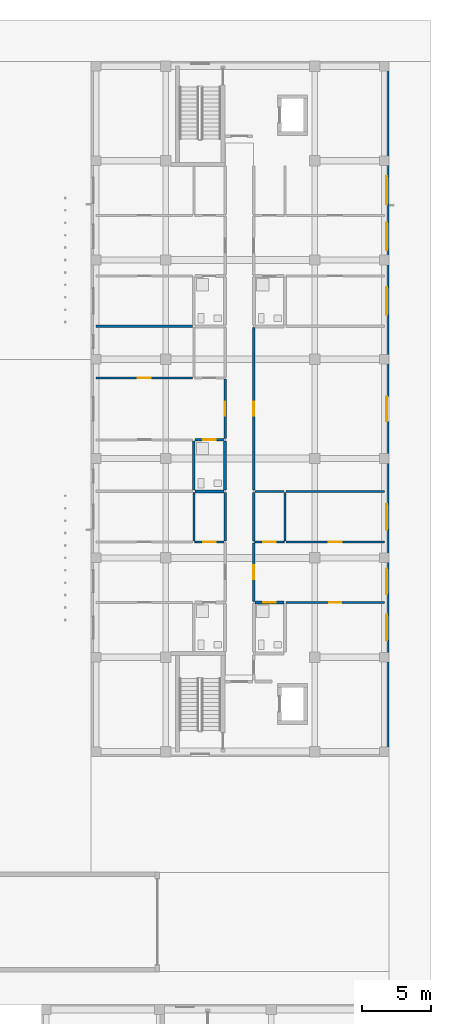
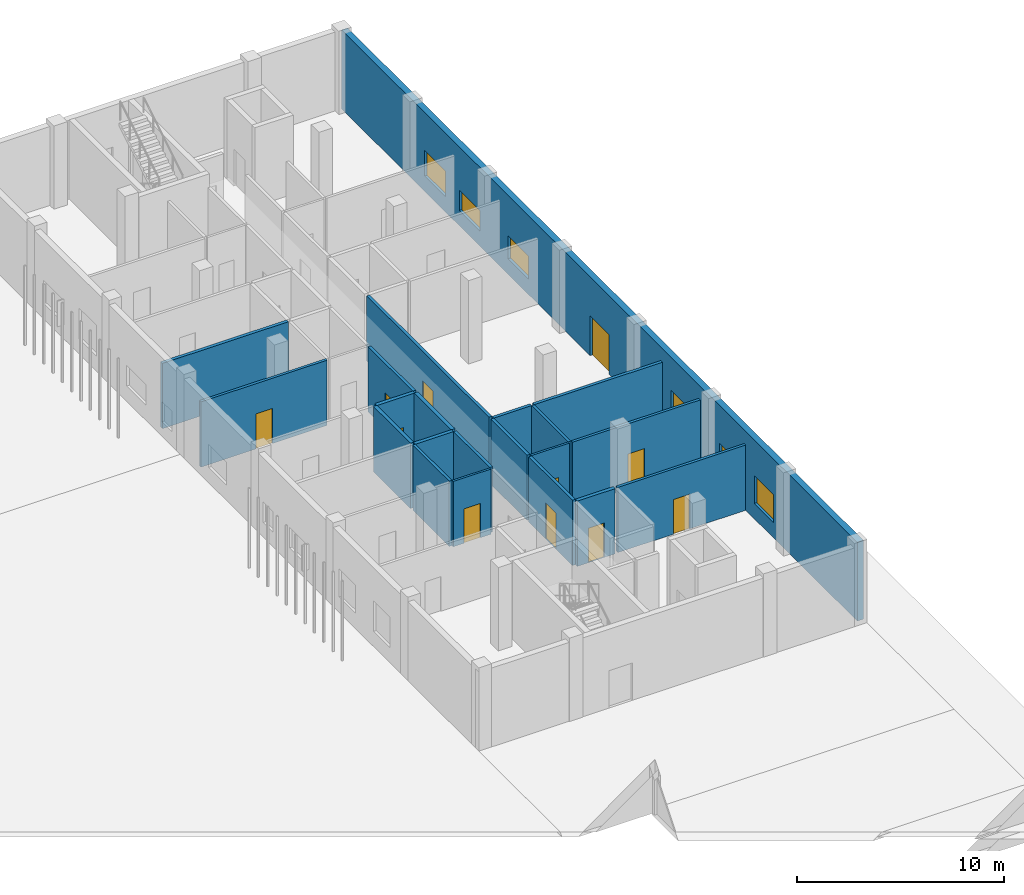
# One storey, part 53 of 85: 21 walls, 11 doors, 6 windows, 17 openings.
"""IFC4 building model written with IfcOpenShell, lengths in metres."""

from ifc_helpers import new_model, si_unit, derived_unit, direction, frame, frame_2d, origin, place, context, subcontext, project, spatial, rectangle, extrude, material, layer, layer_set, type_object, element, fill, save


model = new_model("IFC4")

# Units and contexts
model_context = context("Model", 3, precision=1e-05, world=origin(), true_north=direction((0.0, 1.0)))
body_context = subcontext(model_context, "Body", "Model", "MODEL_VIEW")
ifc_project = project(units=[si_unit("LENGTHUNIT", "METRE"), si_unit("AREAUNIT", "SQUARE_METRE"), si_unit("VOLUMEUNIT", "CUBIC_METRE"), si_unit("PLANEANGLEUNIT", "RADIAN"), si_unit("MASSUNIT", "GRAM", prefix="KILO"), derived_unit("THERMALTRANSMITTANCEUNIT", [(si_unit("MASSUNIT", "GRAM", prefix="KILO"), 1), (si_unit("TIMEUNIT", "SECOND"), -3), (si_unit("THERMODYNAMICTEMPERATUREUNIT", "KELVIN"), -1)])], contexts=[model_context])

# Site, building, storey
site_placement = place(None, origin())
site = spatial("IfcSite", under=ifc_project, at=site_placement, CompositionType="ELEMENT")
building_placement = place(site_placement, origin())
building = spatial("IfcBuilding", under=site, at=building_placement, Name="Ochrekiln Boulevard Commons", CompositionType="ELEMENT")
storey_placement = place(building_placement, origin())
storey = spatial("IfcBuildingStorey", under=building, at=storey_placement, Name="L00", CompositionType="ELEMENT", Elevation=0.0)

# Wall, openings, door, windows
ifc_material_1 = material(Name="Iron-spot brown clinker brick masonry ASTM C216 Grade SW", Category="masonry")
ifc_layer_1 = layer(ifc_material_1, 0.340087890625)
ifc_layer_set_1 = layer_set([ifc_layer_1], Name="Iron-spot brown clinker brick masonry ASTM C216 Grade SW")
wall_type_1 = type_object("IfcWallType", Name="WL-EXT-IRON-340", PredefinedType="SOLIDWALL", material=ifc_layer_set_1)
wall_1_placement = place(storey_placement, frame((172.6298828125, 68.739990234375, 0.0), z_axis=(0.0, 0.0, 1.0), x_axis=(0.0, 1.0, 0.0)))
wall_1 = element("IfcWall", 1, at=wall_1_placement, inside=storey, type_object=wall_type_1, Name="Block B L00 E Exterior Wall", PredefinedType="SOLIDWALL", context=body_context, shape_type="SweptSolid", body=[
    extrude(rectangle(XDim=49.719970703125, YDim=0.340087890625, at=frame_2d((24.85986328125, 0.0))), origin(), (0.0, 0.0, 1.0), 4.639892578125),
])
opening_1_placement = place(wall_1_placement, frame((23.9599609375, 0.0, 0.0)))
opening_1 = element("IfcOpeningElement", 2, at=opening_1_placement, cuts=wall_1, Name="Opening D-L00-MN20", PredefinedType="OPENING", context=body_context, shape_type="SweptSolid", body=[
    extrude(rectangle(XDim=1.800048828125, YDim=2.35009765625, at=frame_2d((0.89990234375, 1.175048828125))), frame((0.0, 0.179931640625, 0.0), z_axis=(0.0, -1.0, 0.0), x_axis=(1.0, 0.0, 0.0)), (0.0, 0.0, 1.0), 0.360107421875),
])
opening_2_placement = place(wall_1_placement, frame((11.427001953125, 0.0, 0.89990234375)))
opening_2 = element("IfcOpeningElement", 3, at=opening_2_placement, cuts=wall_1, Name="Opening W-43", PredefinedType="OPENING", context=body_context, shape_type="SweptSolid", body=[
    extrude(rectangle(XDim=1.85009765625, YDim=1.5, at=frame_2d((0.925048828125, 0.75))), frame((0.0, 0.179931640625, 0.0), z_axis=(0.0, -1.0, 0.0), x_axis=(1.0, 0.0, 0.0)), (0.0, 0.0, 1.0), 0.360107421875),
])
opening_3_placement = place(wall_1_placement, frame((8.08203125, 0.0, 0.89990234375)))
opening_3 = element("IfcOpeningElement", 4, at=opening_3_placement, cuts=wall_1, Name="Opening W-44", PredefinedType="OPENING", context=body_context, shape_type="SweptSolid", body=[
    extrude(rectangle(XDim=1.85009765625, YDim=1.64990234375, at=frame_2d((0.925048828125, 0.824951171875))), frame((0.0, 0.179931640625, 0.0), z_axis=(0.0, -1.0, 0.0), x_axis=(1.0, 0.0, 0.0)), (0.0, 0.0, 1.0), 0.360107421875),
])
opening_4_placement = place(wall_1_placement, frame((16.114990234375, 0.0, 0.89990234375)))
opening_4 = element("IfcOpeningElement", 5, at=opening_4_placement, cuts=wall_1, Name="Opening W-45", PredefinedType="OPENING", context=body_context, shape_type="SweptSolid", body=[
    extrude(rectangle(XDim=1.85009765625, YDim=1.800048828125, at=frame_2d((0.925048828125, 0.89990234375))), frame((0.0, 0.179931640625, 0.0), z_axis=(0.0, -1.0, 0.0), x_axis=(1.0, 0.0, 0.0)), (0.0, 0.0, 1.0), 0.360107421875),
])
opening_5_placement = place(wall_1_placement, frame((36.367919921875, 0.0, 0.89990234375)))
opening_5 = element("IfcOpeningElement", 6, at=opening_5_placement, cuts=wall_1, Name="Opening W-46", PredefinedType="OPENING", context=body_context, shape_type="SweptSolid", body=[
    extrude(rectangle(XDim=2.0, YDim=1.199951171875, at=frame_2d((1.0, 0.60009765625))), frame((0.0, 0.179931640625, 0.0), z_axis=(0.0, -1.0, 0.0), x_axis=(1.0, 0.0, 0.0)), (0.0, 0.0, 1.0), 0.360107421875),
])
opening_6_placement = place(wall_1_placement, frame((31.680908203125, 0.0, 0.89990234375)))
opening_6 = element("IfcOpeningElement", 7, at=opening_6_placement, cuts=wall_1, Name="Opening W-47", PredefinedType="OPENING", context=body_context, shape_type="SweptSolid", body=[
    extrude(rectangle(XDim=2.0, YDim=1.35009765625, at=frame_2d((1.0, 0.675048828125))), frame((0.0, 0.179931640625, 0.0), z_axis=(0.0, -1.0, 0.0), x_axis=(1.0, 0.0, 0.0)), (0.0, 0.0, 1.0), 0.360107421875),
])
opening_7_placement = place(wall_1_placement, frame((39.712890625, 0.0, 0.89990234375)))
opening_7 = element("IfcOpeningElement", 8, at=opening_7_placement, cuts=wall_1, Name="Opening W-48", PredefinedType="OPENING", context=body_context, shape_type="SweptSolid", body=[
    extrude(rectangle(XDim=2.0, YDim=1.5, at=frame_2d((1.0, 0.75))), frame((0.0, 0.179931640625, 0.0), z_axis=(0.0, -1.0, 0.0), x_axis=(1.0, 0.0, 0.0)), (0.0, 0.0, 1.0), 0.360107421875),
])
ifc_material_2 = material(Name="Bronze-anodized extruded aluminium 6063-T6", Category="aluminium")
door_type_1 = type_object("IfcDoorType", Name="DR-EXT-MAIN-180", OperationType="DOUBLE_DOOR_SINGLE_SWING", PredefinedType="DOOR", material=ifc_material_2)
door_1_placement = place(opening_1_placement, frame((1.800048828125, 0.0, 0.0), z_axis=(0.0, 0.0, 1.0), x_axis=(-1.0, 0.0, 0.0)))
door_1 = element("IfcDoor", 9, at=door_1_placement, inside=storey, type_object=door_type_1, Name="Block B Main Pedestrian Entrance and Final Exit Door", OperationType="DOUBLE_DOOR_SINGLE_SWING", OverallHeight=2.35009765625, OverallWidth=1.800048828125, PredefinedType="DOOR", context=body_context, shape_type="SweptSolid", body=[
    extrude(rectangle(XDim=1.800048828125, YDim=2.35009765625, at=frame_2d((0.89990234375, 1.175048828125))), frame((0.0, 0.02490234375, 0.0), z_axis=(0.0, -1.0, 0.0), x_axis=(1.0, 0.0, 0.0)), (0.0, 0.0, 1.0), 0.050048828125),
])
fill(opening_1, door_1)
ifc_material_3 = material(Name="Thermally broken aluminium-clad oak frame", Category="aluminium")
window_type_1 = type_object("IfcWindowType", Name="WIN-EXT-43", PartitioningType="DOUBLE_PANEL_VERTICAL", PredefinedType="WINDOW", material=ifc_material_3)
window_1_placement = place(opening_2_placement, origin())
window_1 = element("IfcWindow", 10, at=window_1_placement, inside=storey, type_object=window_type_1, Name="Block B L00 Punched Masonry Window W-43", OverallHeight=1.5, OverallWidth=1.85009765625, PartitioningType="DOUBLE_PANEL_VERTICAL", PredefinedType="WINDOW", context=body_context, shape_type="SweptSolid", body=[
    extrude(rectangle(XDim=1.85009765625, YDim=1.5, at=frame_2d((0.925048828125, 0.75))), frame((0.0, 0.030029296875, 0.0), z_axis=(0.0, -1.0, 0.0), x_axis=(1.0, 0.0, 0.0)), (0.0, 0.0, 1.0), 0.06005859375),
])
fill(opening_2, window_1)
window_type_2 = type_object("IfcWindowType", Name="WIN-EXT-44", PartitioningType="DOUBLE_PANEL_VERTICAL", PredefinedType="WINDOW", material=ifc_material_3)
window_2_placement = place(opening_3_placement, origin())
window_2 = element("IfcWindow", 11, at=window_2_placement, inside=storey, type_object=window_type_2, Name="Block B L00 Punched Masonry Window W-44", OverallHeight=1.64990234375, OverallWidth=1.85009765625, PartitioningType="DOUBLE_PANEL_VERTICAL", PredefinedType="WINDOW", context=body_context, shape_type="SweptSolid", body=[
    extrude(rectangle(XDim=1.85009765625, YDim=1.64990234375, at=frame_2d((0.925048828125, 0.824951171875))), frame((0.0, 0.030029296875, 0.0), z_axis=(0.0, -1.0, 0.0), x_axis=(1.0, 0.0, 0.0)), (0.0, 0.0, 1.0), 0.06005859375),
])
fill(opening_3, window_2)
window_type_3 = type_object("IfcWindowType", Name="WIN-EXT-45", PartitioningType="DOUBLE_PANEL_VERTICAL", PredefinedType="WINDOW", material=ifc_material_3)
window_3_placement = place(opening_4_placement, origin())
window_3 = element("IfcWindow", 12, at=window_3_placement, inside=storey, type_object=window_type_3, Name="Block B L00 Punched Masonry Window W-45", OverallHeight=1.800048828125, OverallWidth=1.85009765625, PartitioningType="DOUBLE_PANEL_VERTICAL", PredefinedType="WINDOW", context=body_context, shape_type="SweptSolid", body=[
    extrude(rectangle(XDim=1.85009765625, YDim=1.800048828125, at=frame_2d((0.925048828125, 0.89990234375))), frame((0.0, 0.030029296875, 0.0), z_axis=(0.0, -1.0, 0.0), x_axis=(1.0, 0.0, 0.0)), (0.0, 0.0, 1.0), 0.06005859375),
])
fill(opening_4, window_3)
window_type_4 = type_object("IfcWindowType", Name="WIN-EXT-46", PartitioningType="DOUBLE_PANEL_VERTICAL", PredefinedType="WINDOW", material=ifc_material_3)
window_4_placement = place(opening_5_placement, origin())
window_4 = element("IfcWindow", 13, at=window_4_placement, inside=storey, type_object=window_type_4, Name="Block B L00 Punched Masonry Window W-46", OverallHeight=1.199951171875, OverallWidth=2.0, PartitioningType="DOUBLE_PANEL_VERTICAL", PredefinedType="WINDOW", context=body_context, shape_type="SweptSolid", body=[
    extrude(rectangle(XDim=2.0, YDim=1.199951171875, at=frame_2d((1.0, 0.60009765625))), frame((0.0, 0.030029296875, 0.0), z_axis=(0.0, -1.0, 0.0), x_axis=(1.0, 0.0, 0.0)), (0.0, 0.0, 1.0), 0.06005859375),
])
fill(opening_5, window_4)
window_type_5 = type_object("IfcWindowType", Name="WIN-EXT-47", PartitioningType="DOUBLE_PANEL_VERTICAL", PredefinedType="WINDOW", material=ifc_material_3)
window_5_placement = place(opening_6_placement, origin())
window_5 = element("IfcWindow", 14, at=window_5_placement, inside=storey, type_object=window_type_5, Name="Block B L00 Punched Masonry Window W-47", OverallHeight=1.35009765625, OverallWidth=2.0, PartitioningType="DOUBLE_PANEL_VERTICAL", PredefinedType="WINDOW", context=body_context, shape_type="SweptSolid", body=[
    extrude(rectangle(XDim=2.0, YDim=1.35009765625, at=frame_2d((1.0, 0.675048828125))), frame((0.0, 0.030029296875, 0.0), z_axis=(0.0, -1.0, 0.0), x_axis=(1.0, 0.0, 0.0)), (0.0, 0.0, 1.0), 0.06005859375),
])
fill(opening_6, window_5)
window_type_6 = type_object("IfcWindowType", Name="WIN-EXT-48", PartitioningType="DOUBLE_PANEL_VERTICAL", PredefinedType="WINDOW", material=ifc_material_3)
window_6_placement = place(opening_7_placement, origin())
window_6 = element("IfcWindow", 15, at=window_6_placement, inside=storey, type_object=window_type_6, Name="Block B L00 Punched Masonry Window W-48", OverallHeight=1.5, OverallWidth=2.0, PartitioningType="DOUBLE_PANEL_VERTICAL", PredefinedType="WINDOW", context=body_context, shape_type="SweptSolid", body=[
    extrude(rectangle(XDim=2.0, YDim=1.5, at=frame_2d((1.0, 0.75))), frame((0.0, 0.030029296875, 0.0), z_axis=(0.0, -1.0, 0.0), x_axis=(1.0, 0.0, 0.0)), (0.0, 0.0, 1.0), 0.06005859375),
])
fill(opening_7, window_6)

# Wall
ifc_material_4 = material(Name="Moisture-resistant cementitious tile backer wall")
ifc_layer_2 = layer(ifc_material_4, 0.199951171875)
ifc_layer_set_2 = layer_set([ifc_layer_2], Name="Moisture-resistant cementitious tile backer wall")
wall_type_2 = type_object("IfcWallType", Name="WL-PLM-200", PredefinedType="PLUMBINGWALL", material=ifc_layer_set_2)
wall_2_placement = place(storey_placement, frame((158.715087890625, 87.615966796875, 0.0), z_axis=(0.0, 0.0, 1.0), x_axis=(1.0, 0.0, 0.0)))
element("IfcWall", 16, at=wall_2_placement, inside=storey, type_object=wall_type_2, Name="L00 Interior Wall W-PW200", PredefinedType="PLUMBINGWALL", context=body_context, shape_type="SweptSolid", body=[
    extrude(rectangle(XDim=2.11181640625, YDim=0.199951171875, at=frame_2d((1.055908203125, 0.0))), origin(), (0.0, 0.0, 1.0), 3.840087890625),
])

# Wall, opening, door
wall_3_placement = place(storey_placement, frame((158.719970703125, 91.360107421875, 0.0), z_axis=(0.0, 0.0, 1.0), x_axis=(1.0, 0.0, 0.0)))
wall_3 = element("IfcWall", 17, at=wall_3_placement, inside=storey, type_object=wall_type_2, Name="L00 Interior Wall W-PW200", PredefinedType="PLUMBINGWALL", context=body_context, shape_type="SweptSolid", body=[
    extrude(rectangle(XDim=2.10693359375, YDim=0.199951171875, at=frame_2d((1.053466796875, 0.0))), origin(), (0.0, 0.0, 1.0), 3.840087890625),
])
opening_8_placement = place(wall_3_placement, frame((0.60498046875, 0.0, 0.0)))
opening_8 = element("IfcOpeningElement", 18, at=opening_8_placement, cuts=wall_3, Name="Opening D-L00-036", PredefinedType="OPENING", context=body_context, shape_type="SweptSolid", body=[
    extrude(rectangle(XDim=0.889892578125, YDim=2.030029296875, at=frame_2d((0.44482421875, 1.01513671875))), frame((0.0, 0.10986328125, 0.0), z_axis=(0.0, -1.0, 0.0), x_axis=(1.0, 0.0, 0.0)), (0.0, 0.0, 1.0), 0.219970703125),
])
ifc_material_5 = material(Name="Solid core architectural oak door leaf")
door_type_2 = type_object("IfcDoorType", Name="DR-INT-BTH-089", OperationType="NOTDEFINED", PredefinedType="DOOR", material=ifc_material_5)
door_2_placement = place(opening_8_placement, frame((0.889892578125, 0.0, 0.0), z_axis=(0.0, 0.0, 1.0), x_axis=(-1.0, 0.0, 0.0)))
door_2 = element("IfcDoor", 19, at=door_2_placement, inside=storey, type_object=door_type_2, Name="L00 Interior Door to Apartment Bathroom", OperationType="SINGLE_SWING_RIGHT", OverallHeight=2.030029296875, OverallWidth=0.889892578125, PredefinedType="DOOR", context=body_context, shape_type="SweptSolid", body=[
    extrude(rectangle(XDim=0.889892578125, YDim=2.030029296875, at=frame_2d((0.44482421875, 1.01513671875))), frame((0.0, 0.02490234375, 0.0), z_axis=(0.0, -1.0, 0.0), x_axis=(1.0, 0.0, 0.0)), (0.0, 0.0, 1.0), 0.050048828125),
])
fill(opening_8, door_2)

# Wall
wall_4_placement = place(storey_placement, frame((158.639892578125, 87.7060546875, 0.0), z_axis=(0.0, 0.0, 1.0), x_axis=(0.0, 1.0, 0.0)))
element("IfcWall", 20, at=wall_4_placement, inside=storey, type_object=wall_type_2, Name="L00 Interior Wall W-PW200", PredefinedType="PLUMBINGWALL", context=body_context, shape_type="SweptSolid", body=[
    extrude(rectangle(XDim=3.573974609375, YDim=0.199951171875, at=frame_2d((1.787109375, 0.0))), origin(), (0.0, 0.0, 1.0), 3.840087890625),
])

# Wall, opening, door
wall_5_placement = place(storey_placement, frame((163.072998046875, 79.572998046875, 0.0), z_axis=(0.0, 0.0, 1.0), x_axis=(1.0, 0.0, 0.0)))
wall_5 = element("IfcWall", 21, at=wall_5_placement, inside=storey, type_object=wall_type_2, Name="L00 Interior Wall W-PW200", PredefinedType="PLUMBINGWALL", context=body_context, shape_type="SweptSolid", body=[
    extrude(rectangle(XDim=2.10693359375, YDim=0.199951171875, at=frame_2d((1.053466796875, 0.0))), origin(), (0.0, 0.0, 1.0), 3.840087890625),
])
opening_9_placement = place(wall_5_placement, frame((0.612060546875, 0.0, 0.0)))
opening_9 = element("IfcOpeningElement", 22, at=opening_9_placement, cuts=wall_5, Name="Opening D-L00-044", PredefinedType="OPENING", context=body_context, shape_type="SweptSolid", body=[
    extrude(rectangle(XDim=0.889892578125, YDim=2.030029296875, at=frame_2d((0.44482421875, 1.01513671875))), frame((0.0, 0.10986328125, 0.0), z_axis=(0.0, -1.0, 0.0), x_axis=(1.0, 0.0, 0.0)), (0.0, 0.0, 1.0), 0.219970703125),
])
door_3_placement = place(opening_9_placement, frame((0.889892578125, 0.0, 0.0), z_axis=(0.0, 0.0, 1.0), x_axis=(-1.0, 0.0, 0.0)))
door_3 = element("IfcDoor", 23, at=door_3_placement, inside=storey, type_object=door_type_2, Name="L00 Interior Door to Apartment Bathroom", OperationType="SINGLE_SWING_RIGHT", OverallHeight=2.030029296875, OverallWidth=0.889892578125, PredefinedType="DOOR", context=body_context, shape_type="SweptSolid", body=[
    extrude(rectangle(XDim=0.889892578125, YDim=2.030029296875, at=frame_2d((0.44482421875, 1.01513671875))), frame((0.0, 0.02490234375, 0.0), z_axis=(0.0, -1.0, 0.0), x_axis=(1.0, 0.0, 0.0)), (0.0, 0.0, 1.0), 0.050048828125),
])
fill(opening_9, door_3)

# Walls
ifc_layer_3 = layer(ifc_material_4, 0.219970703125)
ifc_layer_set_3 = layer_set([ifc_layer_3], Name="Moisture-resistant cementitious tile backer wall")
wall_type_3 = type_object("IfcWallType", Name="WL-PLM-220", PredefinedType="PLUMBINGWALL", material=ifc_layer_set_3)
wall_6_placement = place(storey_placement, frame((160.909912109375, 87.7060546875, 0.0), z_axis=(0.0, 0.0, 1.0), x_axis=(0.0, 1.0, 0.0)))
element("IfcWall", 24, at=wall_6_placement, inside=storey, type_object=wall_type_3, Name="L00 Interior Wall W-PW220", PredefinedType="PLUMBINGWALL", context=body_context, shape_type="SweptSolid", body=[
    extrude(rectangle(XDim=3.573974609375, YDim=0.219970703125, at=frame_2d((1.787109375, 0.0))), origin(), (0.0, 0.0, 1.0), 3.840087890625),
])
ifc_material_6 = material(Name="Fire-rated Type X gypsum board on steel studs", Category="steel")
ifc_layer_4 = layer(ifc_material_6, 0.169921875)
ifc_layer_set_4 = layer_set([ifc_layer_4], Name="Fire-rated Type X gypsum board on steel studs")
wall_type_4 = type_object("IfcWallType", Name="WL-PT-CIV-170", PredefinedType="PARTITIONING", material=ifc_layer_set_4)
wall_7_placement = place(storey_placement, frame((163.072998046875, 87.615966796875, 0.0), z_axis=(0.0, 0.0, 1.0), x_axis=(1.0, 0.0, 0.0)))
element("IfcWall", 25, at=wall_7_placement, inside=storey, type_object=wall_type_4, Name="L00 Interior Wall W-PV170", PredefinedType="PARTITIONING", context=body_context, shape_type="SweptSolid", body=[
    extrude(rectangle(XDim=2.10693359375, YDim=0.169921875, at=frame_2d((1.053466796875, 0.0))), origin(), (0.0, 0.0, 1.0), 3.840087890625),
])
wall_8_placement = place(storey_placement, frame((165.3349609375, 87.615966796875, 0.0), z_axis=(0.0, 0.0, 1.0), x_axis=(1.0, 0.0, 0.0)))
element("IfcWall", 26, at=wall_8_placement, inside=storey, type_object=wall_type_4, Name="L00 Interior Wall W-PV170", PredefinedType="PARTITIONING", context=body_context, shape_type="SweptSolid", body=[
    extrude(rectangle(XDim=7.125, YDim=0.169921875, at=frame_2d((3.5625, 0.0))), origin(), (0.0, 0.0, 1.0), 3.840087890625),
])
ifc_layer_5 = layer(ifc_material_6, 0.1650390625)
ifc_layer_set_5 = layer_set([ifc_layer_5], Name="Fire-rated Type X gypsum board on steel studs")
wall_type_5 = type_object("IfcWallType", Name="WL-PT-CORR-165", PredefinedType="PARTITIONING", material=ifc_layer_set_5)
wall_9_placement = place(storey_placement, frame((160.909912109375, 84.032958984375, 0.0), z_axis=(0.0, 0.0, 1.0), x_axis=(0.0, 1.0, 0.0)))
element("IfcWall", 27, at=wall_9_placement, inside=storey, type_object=wall_type_5, Name="L00 Interior Wall W-PC165", PredefinedType="PARTITIONING", context=body_context, shape_type="SweptSolid", body=[
    extrude(rectangle(XDim=3.492919921875, YDim=0.1650390625, at=frame_2d((1.74658203125, 0.0))), origin(), (0.0, 0.0, 1.0), 3.840087890625),
])

# Wall, opening, door
wall_10_placement = place(storey_placement, frame((160.909912109375, 91.43994140625, 0.0), z_axis=(0.0, 0.0, 1.0), x_axis=(0.0, 1.0, 0.0)))
wall_10 = element("IfcWall", 28, at=wall_10_placement, inside=storey, type_object=wall_type_5, Name="L00 Interior Wall W-PC165", PredefinedType="PARTITIONING", context=body_context, shape_type="SweptSolid", body=[
    extrude(rectangle(XDim=4.320068359375, YDim=0.1650390625, at=frame_2d((2.16015625, 0.0))), origin(), (0.0, 0.0, 1.0), 3.840087890625),
])
opening_10_placement = place(wall_10_placement, frame((1.655029296875, 0.0, 0.0)))
opening_10 = element("IfcOpeningElement", 29, at=opening_10_placement, cuts=wall_10, Name="Opening D-L00-027", PredefinedType="OPENING", context=body_context, shape_type="SweptSolid", body=[
    extrude(rectangle(XDim=1.010009765625, YDim=2.110107421875, at=frame_2d((0.5048828125, 1.05517578125))), frame((0.0, 0.092529296875, 0.0), z_axis=(0.0, -1.0, 0.0), x_axis=(1.0, 0.0, 0.0)), (0.0, 0.0, 1.0), 0.18505859375),
])
door_type_3 = type_object("IfcDoorType", Name="DR-INT-APT-101", OperationType="NOTDEFINED", PredefinedType="DOOR", material=ifc_material_5)
door_4_placement = place(opening_10_placement, origin())
door_4 = element("IfcDoor", 30, at=door_4_placement, inside=storey, type_object=door_type_3, Name="L00 Interior Door to Two-Bedroom Apartment Living Room", OperationType="SINGLE_SWING_LEFT", OverallHeight=2.110107421875, OverallWidth=1.010009765625, PredefinedType="DOOR", context=body_context, shape_type="SweptSolid", body=[
    extrude(rectangle(XDim=1.010009765625, YDim=2.110107421875, at=frame_2d((0.5048828125, 1.05517578125))), frame((0.0, 0.02490234375, 0.0), z_axis=(0.0, -1.0, 0.0), x_axis=(1.0, 0.0, 0.0)), (0.0, 0.0, 1.0), 0.050048828125),
])
fill(opening_10, door_4)

wall_11_placement = place(storey_placement, frame((162.989990234375, 79.653076171875, 0.0), z_axis=(0.0, 0.0, 1.0), x_axis=(0.0, 1.0, 0.0)))
wall_11 = element("IfcWall", 31, at=wall_11_placement, inside=storey, type_object=wall_type_5, Name="L00 Interior Wall W-PC165", PredefinedType="PARTITIONING", context=body_context, shape_type="SweptSolid", body=[
    extrude(rectangle(XDim=4.219970703125, YDim=0.1650390625, at=frame_2d((2.10986328125, 0.0))), origin(), (0.0, 0.0, 1.0), 3.840087890625),
])
opening_11_placement = place(wall_11_placement, frame((1.60498046875, 0.0, 0.0)))
opening_11 = element("IfcOpeningElement", 32, at=opening_11_placement, cuts=wall_11, Name="Opening D-L00-029", PredefinedType="OPENING", context=body_context, shape_type="SweptSolid", body=[
    extrude(rectangle(XDim=1.010009765625, YDim=2.110107421875, at=frame_2d((0.5048828125, 1.05517578125))), frame((0.0, 0.092529296875, 0.0), z_axis=(0.0, -1.0, 0.0), x_axis=(1.0, 0.0, 0.0)), (0.0, 0.0, 1.0), 0.18505859375),
])
door_5_placement = place(opening_11_placement, frame((1.010009765625, 0.0, 0.0), z_axis=(0.0, 0.0, 1.0), x_axis=(-1.0, 0.0, 0.0)))
door_5 = element("IfcDoor", 33, at=door_5_placement, inside=storey, type_object=door_type_3, Name="L00 Interior Door to Two-Bedroom Apartment Living Room", OperationType="SINGLE_SWING_LEFT", OverallHeight=2.110107421875, OverallWidth=1.010009765625, PredefinedType="DOOR", context=body_context, shape_type="SweptSolid", body=[
    extrude(rectangle(XDim=1.010009765625, YDim=2.110107421875, at=frame_2d((0.5048828125, 1.05517578125))), frame((0.0, 0.02490234375, 0.0), z_axis=(0.0, -1.0, 0.0), x_axis=(1.0, 0.0, 0.0)), (0.0, 0.0, 1.0), 0.050048828125),
])
fill(opening_11, door_5)

# Wall
wall_12_placement = place(storey_placement, frame((162.989990234375, 84.032958984375, 0.0), z_axis=(0.0, 0.0, 1.0), x_axis=(0.0, 1.0, 0.0)))
element("IfcWall", 34, at=wall_12_placement, inside=storey, type_object=wall_type_5, Name="L00 Interior Wall W-PC165", PredefinedType="PARTITIONING", context=body_context, shape_type="SweptSolid", body=[
    extrude(rectangle(XDim=3.492919921875, YDim=0.1650390625, at=frame_2d((1.74658203125, 0.0))), origin(), (0.0, 0.0, 1.0), 3.840087890625),
])

# Wall, opening, door
wall_13_placement = place(storey_placement, frame((162.989990234375, 87.7060546875, 0.0), z_axis=(0.0, 0.0, 1.0), x_axis=(0.0, 1.0, 0.0)))
wall_13 = element("IfcWall", 35, at=wall_13_placement, inside=storey, type_object=wall_type_5, Name="L00 Interior Wall W-PC165", PredefinedType="PARTITIONING", context=body_context, shape_type="SweptSolid", body=[
    extrude(rectangle(XDim=11.787841796875, YDim=0.1650390625, at=frame_2d((5.89404296875, 0.0))), origin(), (0.0, 0.0, 1.0), 3.840087890625),
])
opening_12_placement = place(wall_13_placement, frame((5.388916015625, 0.0, 0.0)))
opening_12 = element("IfcOpeningElement", 36, at=opening_12_placement, cuts=wall_13, Name="Opening D-L00-030", PredefinedType="OPENING", context=body_context, shape_type="SweptSolid", body=[
    extrude(rectangle(XDim=1.010009765625, YDim=2.110107421875, at=frame_2d((0.5048828125, 1.05517578125))), frame((0.0, 0.092529296875, 0.0), z_axis=(0.0, -1.0, 0.0), x_axis=(1.0, 0.0, 0.0)), (0.0, 0.0, 1.0), 0.18505859375),
])
door_6_placement = place(opening_12_placement, frame((1.010009765625, 0.0, 0.0), z_axis=(0.0, 0.0, 1.0), x_axis=(-1.0, 0.0, 0.0)))
door_6 = element("IfcDoor", 37, at=door_6_placement, inside=storey, type_object=door_type_3, Name="L00 Interior Door to Block B Ground Entrance Lobby", OperationType="SINGLE_SWING_RIGHT", OverallHeight=2.110107421875, OverallWidth=1.010009765625, PredefinedType="DOOR", context=body_context, shape_type="SweptSolid", body=[
    extrude(rectangle(XDim=1.010009765625, YDim=2.110107421875, at=frame_2d((0.5048828125, 1.05517578125))), frame((0.0, 0.02490234375, 0.0), z_axis=(0.0, -1.0, 0.0), x_axis=(1.0, 0.0, 0.0)), (0.0, 0.0, 1.0), 0.050048828125),
])
fill(opening_12, door_6)

# Wall
ifc_layer_6 = layer(ifc_material_6, 0.179931640625)
ifc_layer_set_6 = layer_set([ifc_layer_6], Name="Fire-rated Type X gypsum board on steel studs")
wall_type_6 = type_object("IfcWallType", Name="WL-PT-DEM-180", PredefinedType="PARTITIONING", material=ifc_layer_set_6)
wall_14_placement = place(storey_placement, frame((151.5400390625, 99.583984375, 0.0), z_axis=(0.0, 0.0, 1.0), x_axis=(1.0, 0.0, 0.0)))
element("IfcWall", 38, at=wall_14_placement, inside=storey, type_object=wall_type_6, Name="L00 Interior Wall W-PD180", PredefinedType="PARTITIONING", context=body_context, shape_type="SweptSolid", body=[
    extrude(rectangle(XDim=7.02001953125, YDim=0.179931640625, at=frame_2d((3.510009765625, 0.0))), origin(), (0.0, 0.0, 1.0), 3.840087890625),
])

# Wall, opening, door
ifc_layer_7 = layer(ifc_material_6, 0.1201171875)
ifc_layer_set_7 = layer_set([ifc_layer_7], Name="Fire-rated Type X gypsum board on steel studs")
wall_type_7 = type_object("IfcWallType", Name="WL-PT-LGT-120", PredefinedType="PARTITIONING", material=ifc_layer_set_7)
wall_15_placement = place(storey_placement, frame((158.719970703125, 83.952880859375, 0.0), z_axis=(0.0, 0.0, 1.0), x_axis=(1.0, 0.0, 0.0)))
wall_15 = element("IfcWall", 39, at=wall_15_placement, inside=storey, type_object=wall_type_7, Name="L00 Interior Wall W-PL120", PredefinedType="PARTITIONING", context=body_context, shape_type="SweptSolid", body=[
    extrude(rectangle(XDim=2.10693359375, YDim=0.1201171875, at=frame_2d((1.053466796875, 0.0))), origin(), (0.0, 0.0, 1.0), 3.840087890625),
])
opening_13_placement = place(wall_15_placement, frame((0.590087890625, 0.0, 0.0)))
opening_13 = element("IfcOpeningElement", 40, at=opening_13_placement, cuts=wall_15, Name="Opening D-L00-033", PredefinedType="OPENING", context=body_context, shape_type="SweptSolid", body=[
    extrude(rectangle(XDim=0.919921875, YDim=2.02001953125, at=frame_2d((0.4599609375, 1.010009765625))), frame((0.0, 0.070068359375, 0.0), z_axis=(0.0, -1.0, 0.0), x_axis=(1.0, 0.0, 0.0)), (0.0, 0.0, 1.0), 0.14013671875),
])
door_type_4 = type_object("IfcDoorType", Name="DR-INT-KIT-092", OperationType="NOTDEFINED", PredefinedType="DOOR", material=ifc_material_5)
door_7_placement = place(opening_13_placement, origin())
door_7 = element("IfcDoor", 41, at=door_7_placement, inside=storey, type_object=door_type_4, Name="L00 Interior Door to Apartment Kitchen", OperationType="SINGLE_SWING_LEFT", OverallHeight=2.02001953125, OverallWidth=0.919921875, PredefinedType="DOOR", context=body_context, shape_type="SweptSolid", body=[
    extrude(rectangle(XDim=0.919921875, YDim=2.02001953125, at=frame_2d((0.4599609375, 1.010009765625))), frame((0.0, 0.02490234375, 0.0), z_axis=(0.0, -1.0, 0.0), x_axis=(1.0, 0.0, 0.0)), (0.0, 0.0, 1.0), 0.050048828125),
])
fill(opening_13, door_7)

wall_16_placement = place(storey_placement, frame((163.072998046875, 83.952880859375, 0.0), z_axis=(0.0, 0.0, 1.0), x_axis=(1.0, 0.0, 0.0)))
wall_16 = element("IfcWall", 42, at=wall_16_placement, inside=storey, type_object=wall_type_7, Name="L00 Interior Wall W-PL120", PredefinedType="PARTITIONING", context=body_context, shape_type="SweptSolid", body=[
    extrude(rectangle(XDim=2.10693359375, YDim=0.1201171875, at=frame_2d((1.053466796875, 0.0))), origin(), (0.0, 0.0, 1.0), 3.840087890625),
])
opening_14_placement = place(wall_16_placement, frame((0.596923828125, 0.0, 0.0)))
opening_14 = element("IfcOpeningElement", 43, at=opening_14_placement, cuts=wall_16, Name="Opening D-L00-045", PredefinedType="OPENING", context=body_context, shape_type="SweptSolid", body=[
    extrude(rectangle(XDim=0.919921875, YDim=2.02001953125, at=frame_2d((0.4599609375, 1.010009765625))), frame((0.0, 0.070068359375, 0.0), z_axis=(0.0, -1.0, 0.0), x_axis=(1.0, 0.0, 0.0)), (0.0, 0.0, 1.0), 0.14013671875),
])
door_8_placement = place(opening_14_placement, origin())
door_8 = element("IfcDoor", 44, at=door_8_placement, inside=storey, type_object=door_type_4, Name="L00 Interior Door to Apartment Kitchen", OperationType="SINGLE_SWING_LEFT", OverallHeight=2.02001953125, OverallWidth=0.919921875, PredefinedType="DOOR", context=body_context, shape_type="SweptSolid", body=[
    extrude(rectangle(XDim=0.919921875, YDim=2.02001953125, at=frame_2d((0.4599609375, 1.010009765625))), frame((0.0, 0.02490234375, 0.0), z_axis=(0.0, -1.0, 0.0), x_axis=(1.0, 0.0, 0.0)), (0.0, 0.0, 1.0), 0.050048828125),
])
fill(opening_14, door_8)

# Wall
ifc_layer_8 = layer(ifc_material_6, 0.14990234375)
ifc_layer_set_8 = layer_set([ifc_layer_8], Name="Fire-rated Type X gypsum board on steel studs")
wall_type_8 = type_object("IfcWallType", Name="WL-PT-STD-150", PredefinedType="PARTITIONING", material=ifc_layer_set_8)
wall_17_placement = place(storey_placement, frame((158.639892578125, 84.012939453125, 0.0), z_axis=(0.0, 0.0, 1.0), x_axis=(0.0, 1.0, 0.0)))
element("IfcWall", 45, at=wall_17_placement, inside=storey, type_object=wall_type_8, Name="L00 Interior Wall W-PS150", PredefinedType="PARTITIONING", context=body_context, shape_type="SweptSolid", body=[
    extrude(rectangle(XDim=3.512939453125, YDim=0.14990234375, at=frame_2d((1.75634765625, 0.0))), origin(), (0.0, 0.0, 1.0), 3.840087890625),
])

# Wall, opening, door
wall_18_placement = place(storey_placement, frame((151.5400390625, 95.840087890625, 0.0), z_axis=(0.0, 0.0, 1.0), x_axis=(1.0, 0.0, 0.0)))
wall_18 = element("IfcWall", 46, at=wall_18_placement, inside=storey, type_object=wall_type_8, Name="L00 Interior Wall W-PS150", PredefinedType="PARTITIONING", context=body_context, shape_type="SweptSolid", body=[
    extrude(rectangle(XDim=7.02001953125, YDim=0.14990234375, at=frame_2d((3.510009765625, 0.0))), origin(), (0.0, 0.0, 1.0), 3.840087890625),
])
opening_15_placement = place(wall_18_placement, frame((3.044921875, 0.0, 0.0)))
opening_15 = element("IfcOpeningElement", 47, at=opening_15_placement, cuts=wall_18, Name="Opening D-L00-039", PredefinedType="OPENING", context=body_context, shape_type="SweptSolid", body=[
    extrude(rectangle(XDim=0.93994140625, YDim=2.06005859375, at=frame_2d((0.469970703125, 1.030029296875))), frame((0.0, 0.0849609375, 0.0), z_axis=(0.0, -1.0, 0.0), x_axis=(1.0, 0.0, 0.0)), (0.0, 0.0, 1.0), 0.169921875),
])
door_type_5 = type_object("IfcDoorType", Name="DR-INT-BED-094", OperationType="NOTDEFINED", PredefinedType="DOOR", material=ifc_material_5)
door_9_placement = place(opening_15_placement, origin())
door_9 = element("IfcDoor", 48, at=door_9_placement, inside=storey, type_object=door_type_5, Name="L00 Interior Door to Secondary Apartment Bedroom", OperationType="SINGLE_SWING_LEFT", OverallHeight=2.06005859375, OverallWidth=0.93994140625, PredefinedType="DOOR", context=body_context, shape_type="SweptSolid", body=[
    extrude(rectangle(XDim=0.93994140625, YDim=2.06005859375, at=frame_2d((0.469970703125, 1.030029296875))), frame((0.0, 0.02490234375, 0.0), z_axis=(0.0, -1.0, 0.0), x_axis=(1.0, 0.0, 0.0)), (0.0, 0.0, 1.0), 0.050048828125),
])
fill(opening_15, door_9)

wall_19_placement = place(storey_placement, frame((165.340087890625, 79.572998046875, 0.0), z_axis=(0.0, 0.0, 1.0), x_axis=(1.0, 0.0, 0.0)))
wall_19 = element("IfcWall", 49, at=wall_19_placement, inside=storey, type_object=wall_type_8, Name="L00 Interior Wall W-PS150", PredefinedType="PARTITIONING", context=body_context, shape_type="SweptSolid", body=[
    extrude(rectangle(XDim=7.119873046875, YDim=0.14990234375, at=frame_2d((3.56005859375, 0.0))), origin(), (0.0, 0.0, 1.0), 3.840087890625),
])
opening_16_placement = place(wall_19_placement, frame((3.10498046875, 0.0, 0.0)))
opening_16 = element("IfcOpeningElement", 50, at=opening_16_placement, cuts=wall_19, Name="Opening D-L00-046", PredefinedType="OPENING", context=body_context, shape_type="SweptSolid", body=[
    extrude(rectangle(XDim=0.89990234375, YDim=2.0400390625, at=frame_2d((0.449951171875, 1.02001953125))), frame((0.0, 0.0849609375, 0.0), z_axis=(0.0, -1.0, 0.0), x_axis=(1.0, 0.0, 0.0)), (0.0, 0.0, 1.0), 0.169921875),
])
door_type_6 = type_object("IfcDoorType", Name="DR-INT-BED-090", OperationType="NOTDEFINED", PredefinedType="DOOR", material=ifc_material_5)
door_10_placement = place(opening_16_placement, frame((0.89990234375, 0.0, 0.0), z_axis=(0.0, 0.0, 1.0), x_axis=(-1.0, 0.0, 0.0)))
door_10 = element("IfcDoor", 51, at=door_10_placement, inside=storey, type_object=door_type_6, Name="L00 Interior Door to Primary Apartment Bedroom", OperationType="SINGLE_SWING_RIGHT", OverallHeight=2.0400390625, OverallWidth=0.89990234375, PredefinedType="DOOR", context=body_context, shape_type="SweptSolid", body=[
    extrude(rectangle(XDim=0.89990234375, YDim=2.0400390625, at=frame_2d((0.449951171875, 1.02001953125))), frame((0.0, 0.02490234375, 0.0), z_axis=(0.0, -1.0, 0.0), x_axis=(1.0, 0.0, 0.0)), (0.0, 0.0, 1.0), 0.050048828125),
])
fill(opening_16, door_10)

wall_20_placement = place(storey_placement, frame((165.340087890625, 83.952880859375, 0.0), z_axis=(0.0, 0.0, 1.0), x_axis=(1.0, 0.0, 0.0)))
wall_20 = element("IfcWall", 52, at=wall_20_placement, inside=storey, type_object=wall_type_8, Name="L00 Interior Wall W-PS150", PredefinedType="PARTITIONING", context=body_context, shape_type="SweptSolid", body=[
    extrude(rectangle(XDim=7.119873046875, YDim=0.14990234375, at=frame_2d((3.56005859375, 0.0))), origin(), (0.0, 0.0, 1.0), 3.840087890625),
])
opening_17_placement = place(wall_20_placement, frame((3.0849609375, 0.0, 0.0)))
opening_17 = element("IfcOpeningElement", 53, at=opening_17_placement, cuts=wall_20, Name="Opening D-L00-047", PredefinedType="OPENING", context=body_context, shape_type="SweptSolid", body=[
    extrude(rectangle(XDim=0.93994140625, YDim=2.06005859375, at=frame_2d((0.469970703125, 1.030029296875))), frame((0.0, 0.0849609375, 0.0), z_axis=(0.0, -1.0, 0.0), x_axis=(1.0, 0.0, 0.0)), (0.0, 0.0, 1.0), 0.169921875),
])
door_11_placement = place(opening_17_placement, origin())
door_11 = element("IfcDoor", 54, at=door_11_placement, inside=storey, type_object=door_type_5, Name="L00 Interior Door to Secondary Apartment Bedroom", OperationType="SINGLE_SWING_LEFT", OverallHeight=2.06005859375, OverallWidth=0.93994140625, PredefinedType="DOOR", context=body_context, shape_type="SweptSolid", body=[
    extrude(rectangle(XDim=0.93994140625, YDim=2.06005859375, at=frame_2d((0.469970703125, 1.030029296875))), frame((0.0, 0.02490234375, 0.0), z_axis=(0.0, -1.0, 0.0), x_axis=(1.0, 0.0, 0.0)), (0.0, 0.0, 1.0), 0.050048828125),
])
fill(opening_17, door_11)

# Wall
wall_21_placement = place(storey_placement, frame((165.260009765625, 84.012939453125, 0.0), z_axis=(0.0, 0.0, 1.0), x_axis=(0.0, 1.0, 0.0)))
element("IfcWall", 55, at=wall_21_placement, inside=storey, type_object=wall_type_8, Name="L00 Interior Wall W-PS150", PredefinedType="PARTITIONING", context=body_context, shape_type="SweptSolid", body=[
    extrude(rectangle(XDim=3.512939453125, YDim=0.14990234375, at=frame_2d((1.75634765625, 0.0))), origin(), (0.0, 0.0, 1.0), 3.840087890625),
])

save(model, "model.ifc")
